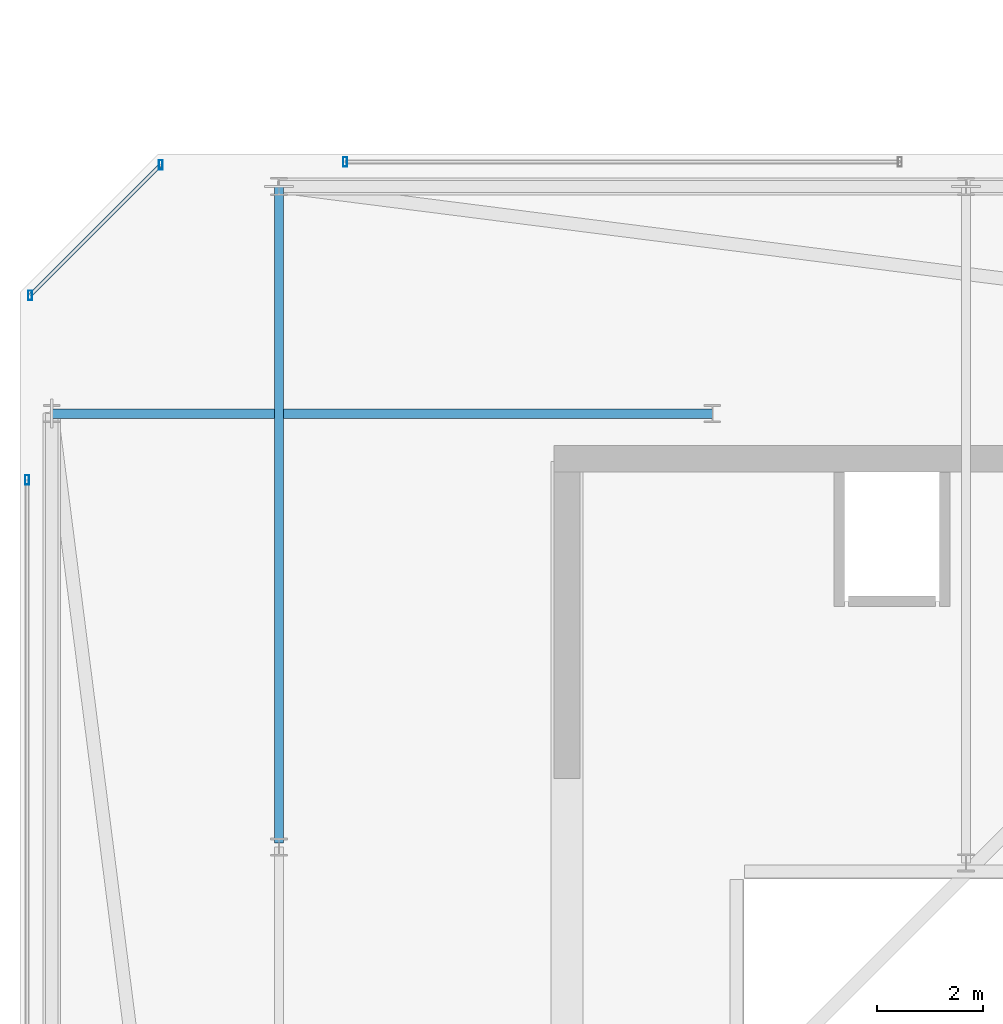
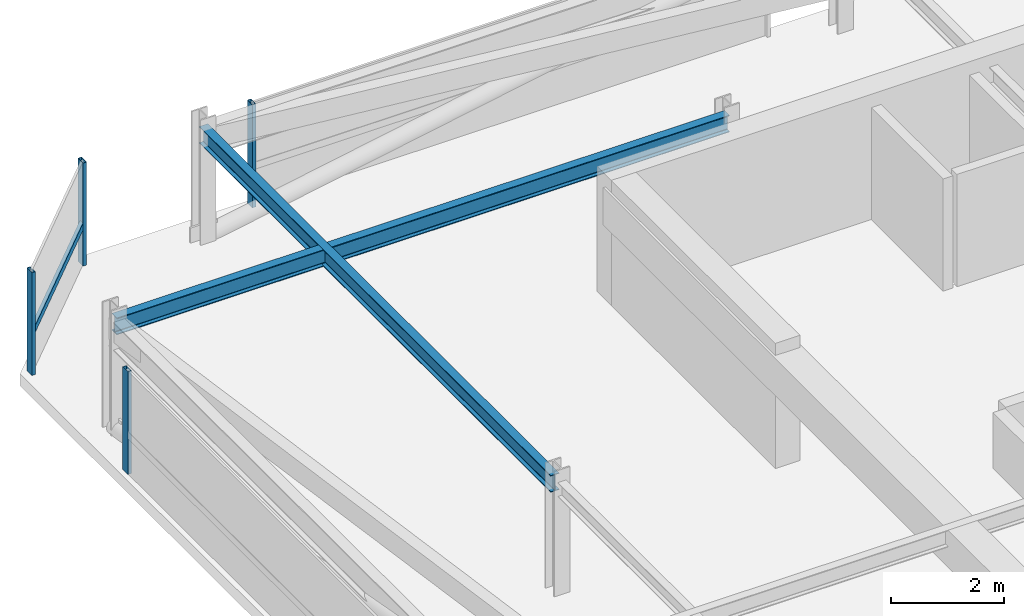
# One storey, part 22 of 42: 5 members, 2 beams, 3 elements without a shape of their own.
"""IFC4 building model written with IfcOpenShell, lengths in metres."""

from ifc_helpers import new_model, si_unit, direction, frame, origin, origin_2d, place, context, subcontext, project, spatial, hollow_rectangle, i_section, extrude, material, material_profile, profile_set, type_object, element, aggregate, save


model = new_model("IFC4")

# Units and contexts
model_context = context("Model", 3, precision=1e-05, world=origin(), true_north=direction((0.0, 1.0)))
body_context = subcontext(model_context, "Body", "Model", "MODEL_VIEW")
ifc_project = project(units=[si_unit("LENGTHUNIT", "METRE"), si_unit("AREAUNIT", "SQUARE_METRE"), si_unit("VOLUMEUNIT", "CUBIC_METRE"), si_unit("PLANEANGLEUNIT", "RADIAN"), si_unit("MASSUNIT", "GRAM", prefix="KILO")], contexts=[model_context])

# Site, building, storey
site_placement = place(None, origin())
site = spatial("IfcSite", under=ifc_project, at=site_placement, CompositionType="ELEMENT")
building_placement = place(site_placement, origin())
building = spatial("IfcBuilding", under=site, at=building_placement, Name="Thornwick Lancets Civic Towers", CompositionType="ELEMENT")
storey_placement = place(building_placement, frame((0.0, 0.0, 284.10009765625)))
storey = spatial("IfcBuildingStorey", under=building, at=storey_placement, Name="C02", CompositionType="ELEMENT", Elevation=284.10009765625)

# Beams
ifc_material_1 = material(Name="Steel S355JR", Category="steel")
ifc_material_profile_1 = material_profile(ifc_material_1, i_section(OverallWidth=0.173095703125, OverallDepth=0.36328125, WebThickness=0.009033203125, FlangeThickness=0.015625, FilletRadius=0.01025390625, at=origin_2d()), Name="UKB 356x171x67")
ifc_profile_set_1 = profile_set([ifc_material_profile_1], Name="Steel S355JR")
beam_type = type_object("IfcBeamType", Name="BM_JOIST_356_67", PredefinedType="JOIST", material=ifc_profile_set_1)
beam_1_placement = place(storey_placement, frame((12.5, 31.8798828125, 2.25830078125), z_axis=(0.0, 1.0, 0.0), x_axis=(-1.0, 0.0, 0.0)))
element("IfcBeam", 1, at=beam_1_placement, inside=storey, type_object=beam_type, Name="BM-RADIN-C02-A07", PredefinedType="JOIST", context=body_context, shape_type="SweptSolid", body=[
    extrude(i_section(OverallWidth=0.173095703125, OverallDepth=0.36328125, WebThickness=0.009033203125, FlangeThickness=0.015625, FilletRadius=0.01025390625, at=origin_2d()), origin(), (0.0, 0.0, 1.0), 12.420166015625),
])
beam_2_placement = place(storey_placement, frame((20.699951171875, 40.0, 2.25830078125), z_axis=(-1.0, 0.0, 0.0), x_axis=(0.0, -1.0, 0.0)))
element("IfcBeam", 2, at=beam_2_placement, inside=storey, type_object=beam_type, Name="BM-RADIN-C02-A12", PredefinedType="JOIST", context=body_context, shape_type="SweptSolid", body=[
    extrude(i_section(OverallWidth=0.173095703125, OverallDepth=0.36328125, WebThickness=0.009033203125, FlangeThickness=0.015625, FilletRadius=0.01025390625, at=origin_2d()), origin(), (0.0, 0.0, 1.0), 12.5),
])

# Curtain wall, member
ifc_material_2 = material(Name="Crown ring acoustic-louvre and glazing screen wall", Category="glass")
curtain_wall_type = type_object("IfcCurtainWallType", Name="CW_SYS_07", PredefinedType="NOTDEFINED", material=ifc_material_2)
curtain_wall_1_placement = place(storey_placement, origin())
curtain_wall_1 = element("IfcCurtainWall", 3, at=curtain_wall_1_placement, inside=storey, type_object=curtain_wall_type, Name="C02 Curtain Wall CW-C02-A-E4-S3", PredefinedType="NOTDEFINED")
ifc_material_3 = material(Name="Thermally broken bronze aluminium S355", Category="steel")
ifc_material_profile_2 = material_profile(ifc_material_3, hollow_rectangle(XDim=0.074951171875, YDim=0.179931640625, WallThickness=0.006103515625, at=origin_2d()), Name="RHS 180x75x6")
ifc_profile_set_2 = profile_set([ifc_material_profile_2], Name="Thermally broken bronze aluminium S355")
member_type_1 = type_object("IfcMemberType", Name="CW_MUL_180", PredefinedType="MULLION", material=ifc_profile_set_2)
member_1_placement = place(storey_placement, frame((13.75, 44.7646484375, 0.0), z_axis=(0.0, 0.0, 1.0), x_axis=(1.0, 0.0, 0.0)))
member_1 = element("IfcMember", 4, at=member_1_placement, type_object=member_type_1, Name="CW-C02-A-E4-S3 Mullion 1", PredefinedType="MULLION", context=body_context, shape_type="SweptSolid", body=[
    extrude(hollow_rectangle(XDim=0.074951171875, YDim=0.179931640625, WallThickness=0.006103515625, at=origin_2d()), origin(), (0.0, 0.0, 1.0), 2.219970703125),
])
aggregate(curtain_wall_1, [member_1])

# Curtain wall, members
curtain_wall_2_placement = place(storey_placement, origin())
curtain_wall_2 = element("IfcCurtainWall", 5, at=curtain_wall_2_placement, inside=storey, type_object=curtain_wall_type, Name="C02 Curtain Wall CW-C02-A-E5", PredefinedType="NOTDEFINED")
member_2_placement = place(storey_placement, frame((10.261962890625, 44.7080078125, 0.0), z_axis=(0.0, 0.0, 1.0), x_axis=(1.0, 0.0, 0.0)))
member_2 = element("IfcMember", 6, at=member_2_placement, type_object=member_type_1, Name="CW-C02-A-E5 Mullion 0", PredefinedType="MULLION", context=body_context, shape_type="SweptSolid", body=[
    extrude(hollow_rectangle(XDim=0.074951171875, YDim=0.179931640625, WallThickness=0.006103515625, at=origin_2d()), origin(), (0.0, 0.0, 1.0), 2.219970703125),
])
member_3_placement = place(storey_placement, frame((7.7919921875, 42.238037109375, 0.0), z_axis=(0.0, 0.0, 1.0), x_axis=(1.0, 0.0, 0.0)))
member_3 = element("IfcMember", 7, at=member_3_placement, type_object=member_type_1, Name="CW-C02-A-E5 Mullion 1", PredefinedType="MULLION", context=body_context, shape_type="SweptSolid", body=[
    extrude(hollow_rectangle(XDim=0.074951171875, YDim=0.179931640625, WallThickness=0.006103515625, at=origin_2d()), origin(), (0.0, 0.0, 1.0), 2.219970703125),
])

# Curtain wall, member
curtain_wall_3_placement = place(storey_placement, origin())
curtain_wall_3 = element("IfcCurtainWall", 8, at=curtain_wall_3_placement, inside=storey, type_object=curtain_wall_type, Name="C02 Curtain Wall CW-C02-A-E6-S1", PredefinedType="NOTDEFINED")
member_4_placement = place(storey_placement, frame((7.7353515625, 38.75, 0.0), z_axis=(0.0, 0.0, 1.0), x_axis=(1.0, 0.0, 0.0)))
member_4 = element("IfcMember", 9, at=member_4_placement, type_object=member_type_1, Name="CW-C02-A-E6-S1 Mullion 0", PredefinedType="MULLION", context=body_context, shape_type="SweptSolid", body=[
    extrude(hollow_rectangle(XDim=0.074951171875, YDim=0.179931640625, WallThickness=0.006103515625, at=origin_2d()), origin(), (0.0, 0.0, 1.0), 2.219970703125),
])
aggregate(curtain_wall_3, [member_4])

# Member
ifc_material_profile_3 = material_profile(ifc_material_3, hollow_rectangle(XDim=0.074951171875, YDim=0.14990234375, WallThickness=0.0048828125, at=origin_2d()), Name="RHS 150x75x5")
ifc_profile_set_3 = profile_set([ifc_material_profile_3], Name="Thermally broken bronze aluminium S355")
member_type_2 = type_object("IfcMemberType", Name="CW_TRN_150", PredefinedType="USERDEFINED", material=ifc_profile_set_3)
member_5_placement = place(storey_placement, frame((10.247802734375, 44.69384765625, 0.849853515625), z_axis=(-0.707106781187, -0.707106781187, 0.0), x_axis=(0.707106781187, -0.707106781187, 0.0)))
member_5 = element("IfcMember", 10, at=member_5_placement, type_object=member_type_2, Name="CW-C02-A-E5 Transom 0", ObjectType="TRANSOM", PredefinedType="USERDEFINED", context=body_context, shape_type="SweptSolid", body=[
    extrude(hollow_rectangle(XDim=0.074951171875, YDim=0.14990234375, WallThickness=0.0048828125, at=origin_2d()), origin(), (0.0, 0.0, 1.0), 3.453125),
])

aggregate(curtain_wall_2, [member_2, member_3, member_5])

save(model, "model.ifc")
